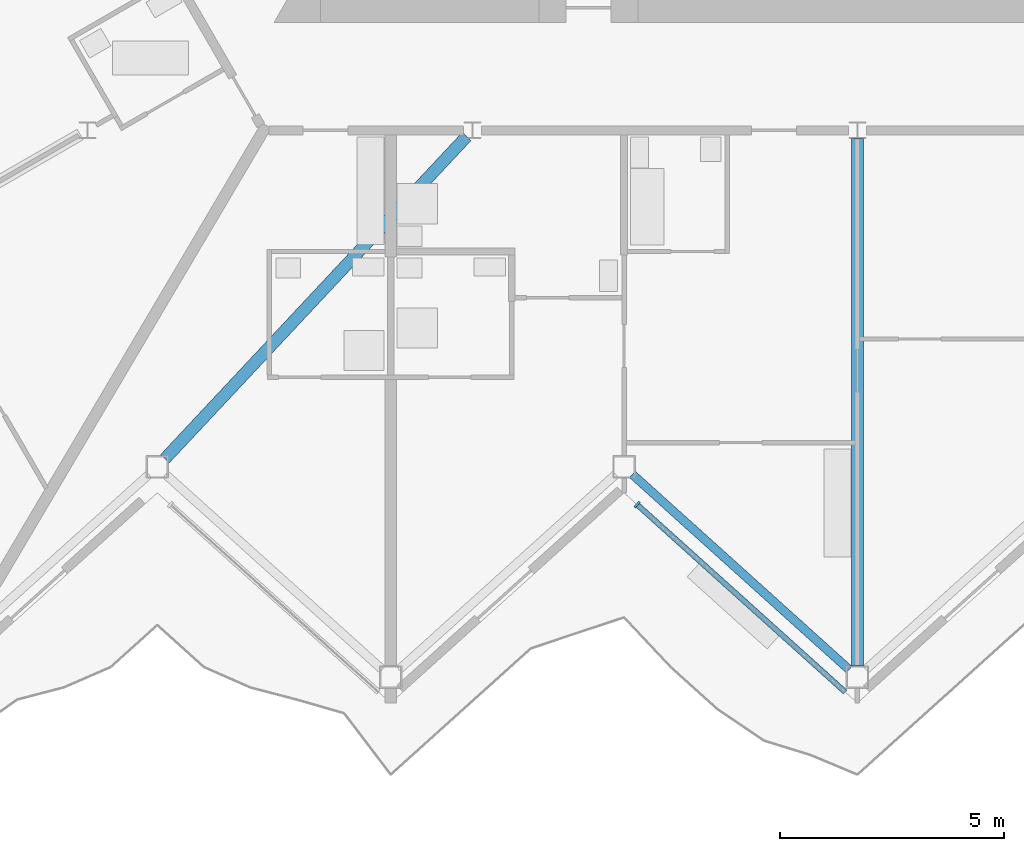
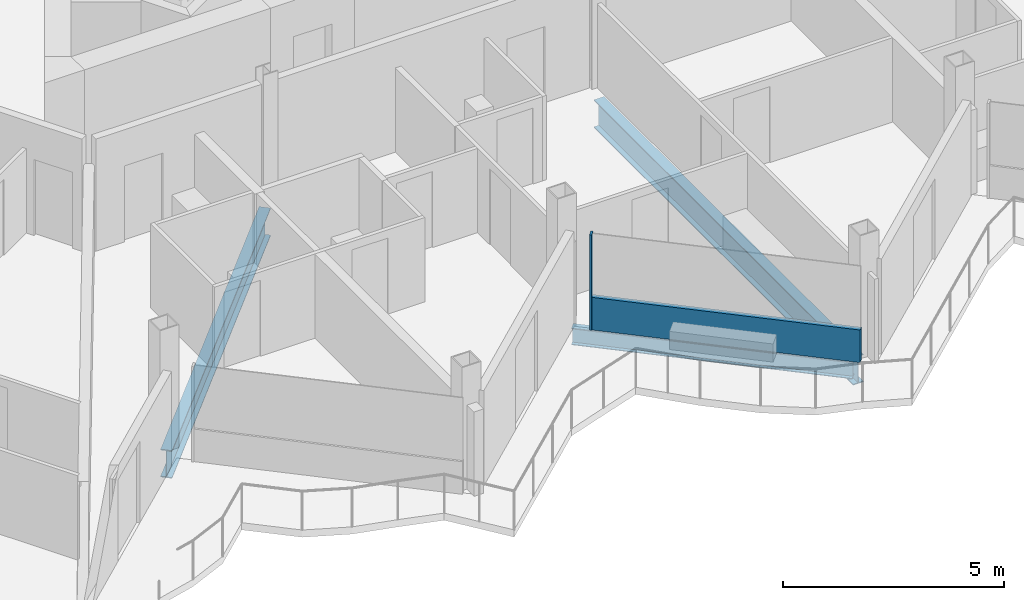
# One storey, part 5 of 26: 3 beams, 2 members, 1 element without a shape of its own.
"""IFC4 building model written with IfcOpenShell, lengths in metres."""

from ifc_helpers import new_model, si_unit, direction, frame, origin, origin_2d, place, context, subcontext, project, spatial, rectangle, i_section, extrude, material, layer, layer_set, material_profile, profile_set, type_object, element, aggregate, save


model = new_model("IFC4")

# Units and contexts
model_context = context("Model", 3, precision=1e-05, world=origin(), true_north=direction((0.0, 1.0)))
body_context = subcontext(model_context, "Body", "Model", "MODEL_VIEW")
ifc_project = project(units=[si_unit("LENGTHUNIT", "METRE"), si_unit("AREAUNIT", "SQUARE_METRE"), si_unit("VOLUMEUNIT", "CUBIC_METRE"), si_unit("PLANEANGLEUNIT", "RADIAN"), si_unit("MASSUNIT", "GRAM", prefix="KILO")], contexts=[model_context])

# Site, building, storey
site_placement = place(None, origin())
site = spatial("IfcSite", under=ifc_project, at=site_placement, CompositionType="ELEMENT")
building_placement = place(site_placement, origin())
building = spatial("IfcBuilding", under=site, at=building_placement, Name="Cormorant Prow Tower", CompositionType="ELEMENT")
storey_placement = place(building_placement, frame((0.0, 0.0, 371.199951171875)))
storey = spatial("IfcBuildingStorey", under=building, at=storey_placement, Name="L83", CompositionType="ELEMENT", Elevation=371.199951171875)

# Beams
ifc_material_1 = material(Name="Structural steel ASTM A992 Gr 50", Category="steel")
ifc_material_profile_1 = material_profile(ifc_material_1, i_section(OverallWidth=0.267822265625, OverallDepth=0.77001953125, WebThickness=0.015625, FlangeThickness=0.025390625, at=origin_2d()), Name="W30x132")
ifc_profile_set_1 = profile_set([ifc_material_profile_1], Name="Structural steel ASTM A992 Gr 50")
beam_type_1 = type_object("IfcBeamType", Name="Radial floor beam W30x132", PredefinedType="BEAM", material=ifc_profile_set_1)
beam_1_placement = place(storey_placement, frame((-8.706298828125, -10.0419921875, -0.684814453125), z_axis=(-0.683430760659, -0.730015339144, 0.0), x_axis=(0.730015339144, -0.683430760659, 0.0)))
element("IfcBeam", 1, at=beam_1_placement, inside=storey, type_object=beam_type_1, Name="Radial floor beam FB3 6 L83", PredefinedType="BEAM", context=body_context, shape_type="SweptSolid", body=[
    extrude(i_section(OverallWidth=0.267822265625, OverallDepth=0.77001953125, WebThickness=0.015625, FlangeThickness=0.025390625, at=origin_2d()), origin(), (0.0, 0.0, 1.0), 9.8369140625),
])
beam_2_placement = place(storey_placement, frame((0.0, -10.092529296875, -0.684814453125), z_axis=(0.0, -1.0, 0.0), x_axis=(1.0, 0.0, 0.0)))
element("IfcBeam", 2, at=beam_2_placement, inside=storey, type_object=beam_type_1, Name="Radial floor beam FB3 7 L83", PredefinedType="BEAM", context=body_context, shape_type="SweptSolid", body=[
    extrude(i_section(OverallWidth=0.267822265625, OverallDepth=0.77001953125, WebThickness=0.015625, FlangeThickness=0.025390625, at=origin_2d()), origin(), (0.0, 0.0, 1.0), 11.745361328125),
])

# Curtain wall, members
ifc_material_2 = material(Name="Aluminium 6063-T6", Category="aluminium")
ifc_layer = layer(ifc_material_2, 0.159912109375)
ifc_layer_set = layer_set([ifc_layer], Name="Aluminium 6063-T6")
curtain_wall_type = type_object("IfcCurtainWallType", Name="Residential unitised curtain wall 160", PredefinedType="NOTDEFINED", material=ifc_layer_set)
curtain_wall_placement = place(storey_placement, origin())
curtain_wall = element("IfcCurtainWall", 3, at=curtain_wall_placement, inside=storey, type_object=curtain_wall_type, Name="Residential curtain wall S04", PredefinedType="NOTDEFINED")
ifc_material_3 = material(Name="Aluminium 6063-T6", Category="aluminium")
ifc_material_profile_2 = material_profile(ifc_material_3, rectangle(XDim=0.159912109375, YDim=0.050048828125, at=origin_2d()), Name="Residential mullion 50x160")
ifc_profile_set_2 = profile_set([ifc_material_profile_2], Name="Aluminium 6063-T6")
member_type_1 = type_object("IfcMemberType", Name="Residential mullion 50x160", PredefinedType="MULLION", material=ifc_profile_set_2)
member_1_placement = place(storey_placement, frame((-4.909423828125, -18.2451171875, 0.0), z_axis=(0.0, 0.0, 1.0), x_axis=(0.669130603959, 0.743144827638, 0.0)))
member_1 = element("IfcMember", 4, at=member_1_placement, type_object=member_type_1, Name="Residential mullion S04", PredefinedType="MULLION", context=body_context, shape_type="SweptSolid", body=[
    extrude(rectangle(XDim=0.159912109375, YDim=0.050048828125, at=origin_2d()), origin(), (0.0, 0.0, 1.0), 2.634033203125),
])
ifc_material_4 = material(Name="Terracotta", Category="masonry")
ifc_material_profile_3 = material_profile(ifc_material_4, rectangle(XDim=0.1201171875, YDim=0.89990234375, at=origin_2d()), Name="Residential terracotta spandrel rail 120x900")
ifc_profile_set_3 = profile_set([ifc_material_profile_3], Name="Terracotta")
member_type_2 = type_object("IfcMemberType", Name="Residential terracotta spandrel rail 120x900", PredefinedType="USERDEFINED", material=ifc_profile_set_3)
member_2_placement = place(storey_placement, frame((-4.890869140625, -18.261962890625, 0.449951171875), z_axis=(0.743159360055, -0.669114463723, 0.0), x_axis=(0.669114463723, 0.743159360055, 0.0)))
member_2 = element("IfcMember", 5, at=member_2_placement, type_object=member_type_2, Name="Residential spandrel rail S04", ObjectType="TRANSOM", PredefinedType="USERDEFINED", context=body_context, shape_type="SweptSolid", body=[
    extrude(rectangle(XDim=0.1201171875, YDim=0.89990234375, at=origin_2d()), origin(), (0.0, 0.0, 1.0), 6.21533203125),
])
aggregate(curtain_wall, [member_1, member_2])

# Beam
ifc_material_5 = material(Name="Structural steel ASTM A992 Gr 50", Category="steel")
ifc_material_profile_4 = material_profile(ifc_material_5, i_section(OverallWidth=0.19287109375, OverallDepth=0.466064453125, WebThickness=0.011474609375, FlangeThickness=0.01904296875, at=origin_2d()), Name="W18x65")
ifc_profile_set_4 = profile_set([ifc_material_profile_4], Name="Structural steel ASTM A992 Gr 50")
beam_type_2 = type_object("IfcBeamType", Name="Spandrel beam W18x65", PredefinedType="SPANDREL", material=ifc_profile_set_4)
beam_3_placement = place(storey_placement, frame((-5.01416015625, -17.572998046875, -0.532958984375), z_axis=(0.743131573737, -0.669145323614, 0.0), x_axis=(0.669145323614, 0.743131573737, 0.0)))
element("IfcBeam", 6, at=beam_3_placement, inside=storey, type_object=beam_type_2, Name="Spandrel beam SB4 S04-S05 L83", PredefinedType="SPANDREL", context=body_context, shape_type="SweptSolid", body=[
    extrude(i_section(OverallWidth=0.19287109375, OverallDepth=0.466064453125, WebThickness=0.011474609375, FlangeThickness=0.01904296875, at=origin_2d()), origin(), (0.0, 0.0, 1.0), 6.497314453125),
])

save(model, "model.ifc")
